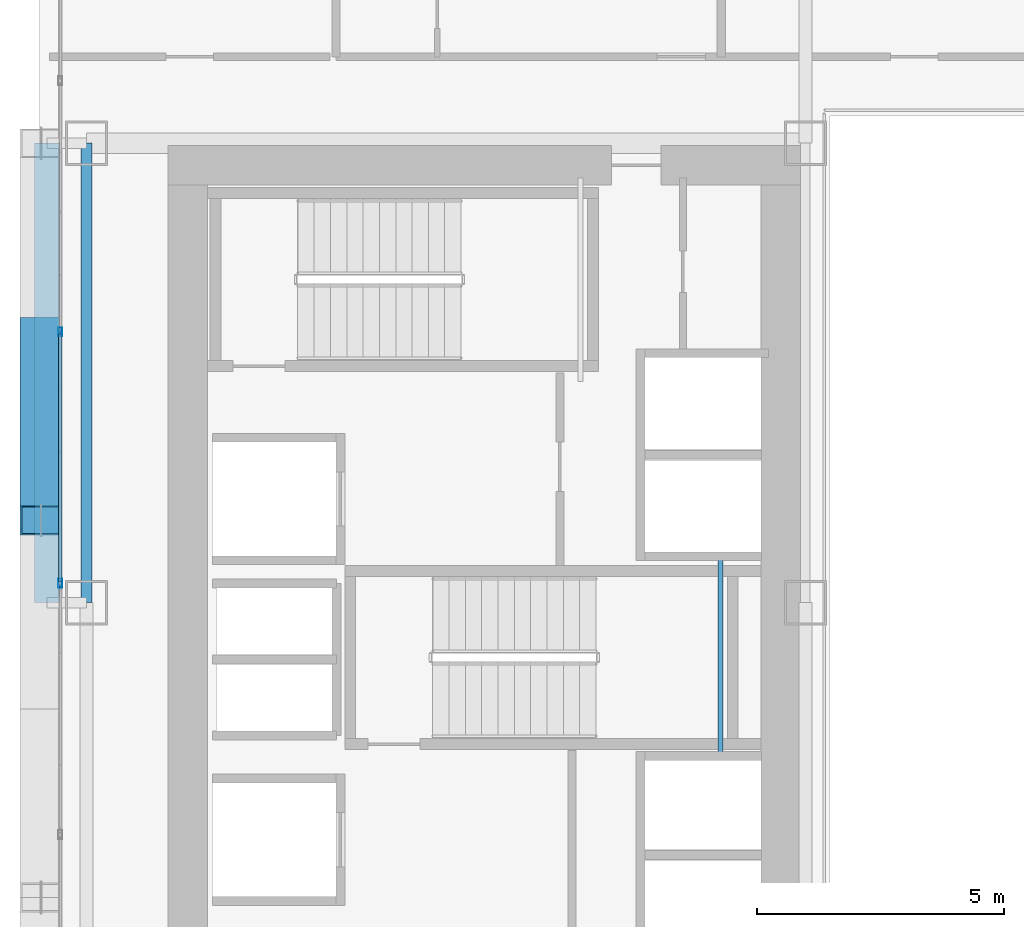
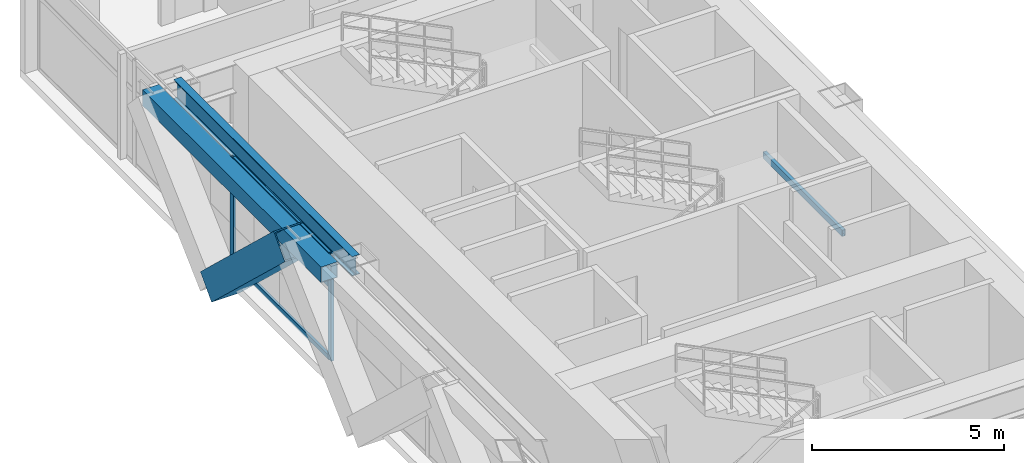
# One storey, part 8 of 38: 6 members, 3 beams, 1 element without a shape of its own.
"""IFC4 building model written with IfcOpenShell, lengths in metres."""

from ifc_helpers import new_model, si_unit, direction, frame, origin, origin_2d, place, context, subcontext, project, spatial, hollow_rectangle, i_section, extrude, source, transform, mapped, material, layer, layer_set, material_profile, profile_set, type_object, element, aggregate, save


model = new_model("IFC4")

# Units and contexts
model_context = context("Model", 3, precision=1e-05, world=origin(), true_north=direction((0.0, 1.0)))
body_context = subcontext(model_context, "Body", "Model", "MODEL_VIEW")
ifc_project = project(units=[si_unit("LENGTHUNIT", "METRE"), si_unit("AREAUNIT", "SQUARE_METRE"), si_unit("VOLUMEUNIT", "CUBIC_METRE"), si_unit("PLANEANGLEUNIT", "RADIAN"), si_unit("MASSUNIT", "GRAM", prefix="KILO")], contexts=[model_context])

# Site, building, storey
site_placement = place(None, origin())
site = spatial("IfcSite", under=ifc_project, at=site_placement, CompositionType="ELEMENT")
building_placement = place(site_placement, origin())
building = spatial("IfcBuilding", under=site, at=building_placement, Name="Ocotamira Hotel", CompositionType="ELEMENT")
storey_placement = place(building_placement, frame((0.0, 0.0, 60.0)))
storey = spatial("IfcBuildingStorey", under=building, at=storey_placement, Name="L14", CompositionType="ELEMENT", Elevation=60.0)

# Beams
ifc_material_1 = material(Name="Steel ASTM A500 Grade C", Category="steel")
ifc_material_profile_1 = material_profile(ifc_material_1, hollow_rectangle(XDim=0.10009765625, YDim=0.199951171875, WallThickness=0.008056640625, at=origin_2d()), Name="HSS200X100X8")
ifc_profile_set_1 = profile_set([ifc_material_profile_1], Name="Steel ASTM A500 Grade C")
beam_type_1 = type_object("IfcBeamType", Name="BM-STLDG-HSS200", PredefinedType="BEAM", material=ifc_profile_set_1)
shared_shape_1 = source(origin(), body_context, "Body", "SweptSolid", [
    extrude(hollow_rectangle(XDim=0.10009765625, YDim=0.199951171875, WallThickness=0.008056640625, at=origin_2d()), origin(), (0.0, 0.0, 1.0), 4.1201171875),
])
beam_1_placement = place(storey_placement, frame((21.780029296875, 24.97998046875, 1.5), z_axis=(0.0, 1.0, 0.0), x_axis=(-1.0, 0.0, 0.0)))
element("IfcBeam", 1, at=beam_1_placement, inside=storey, type_object=beam_type_1, Name="L14 Stair ST-3 Landing Bearer 1", PredefinedType="BEAM", context=body_context, shape_type="MappedRepresentation", body=[
    mapped(shared_shape_1, transform((0.0, 0.0, 0.0), scale=1.0)),
])
ifc_material_2 = material(Name="Steel ASTM A992 Grade 50", Category="steel")
ifc_material_profile_2 = material_profile(ifc_material_2, i_section(OverallWidth=0.22998046875, OverallDepth=0.616943359375, WebThickness=0.01318359375, FlangeThickness=0.022216796875, FilletRadius=0.012939453125, at=origin_2d()), Name="W24X94")
ifc_profile_set_2 = profile_set([ifc_material_profile_2], Name="Steel ASTM A992 Grade 50")
beam_type_2 = type_object("IfcBeamType", Name="BM-PRIM-W24X94", PredefinedType="BEAM", material=ifc_profile_set_2)
shared_shape_2 = source(origin(), body_context, "Body", "SweptSolid", [
    extrude(i_section(OverallWidth=0.22998046875, OverallDepth=0.616943359375, WebThickness=0.01318359375, FlangeThickness=0.022216796875, FilletRadius=0.012939453125, at=origin_2d()), origin(), (0.0, 0.0, 1.0), 9.300048828125),
])
beam_2_placement = place(storey_placement, frame((8.949951171875, 28.14990234375, 3.04150390625), z_axis=(0.0, 1.0, 0.0), x_axis=(-1.0, 0.0, 0.0)))
element("IfcBeam", 2, at=beam_2_placement, inside=storey, type_object=beam_type_2, Name="L14 Beam X8.95 Y28.15-37.45", PredefinedType="BEAM", context=body_context, shape_type="MappedRepresentation", body=[
    mapped(shared_shape_2, transform((0.0, 0.0, 0.0), scale=1.0)),
])
ifc_material_profile_3 = material_profile(ifc_material_1, hollow_rectangle(XDim=0.5, YDim=0.5, WallThickness=0.02001953125, at=origin_2d()), Name="HSS500X500X20")
ifc_profile_set_3 = profile_set([ifc_material_profile_3], Name="Steel ASTM A500 Grade C")
beam_type_3 = type_object("IfcBeamType", Name="BM-SPAN-HSS500", PredefinedType="USERDEFINED", material=ifc_profile_set_3)
shared_shape_3 = source(origin(), body_context, "Body", "SweptSolid", [
    extrude(hollow_rectangle(XDim=0.5, YDim=0.5, WallThickness=0.02001953125, at=origin_2d()), origin(), (0.0, 0.0, 1.0), 9.300048828125),
])
beam_3_placement = place(storey_placement, frame((8.14990234375, 28.14990234375, 3.10009765625), z_axis=(0.0, 1.0, 0.0), x_axis=(-1.0, 0.0, 0.0)))
element("IfcBeam", 3, at=beam_3_placement, inside=storey, type_object=beam_type_3, Name="L14 Edge Spandrel W Y28.15-37.45", ObjectType="SPANDREL", PredefinedType="USERDEFINED", context=body_context, shape_type="MappedRepresentation", body=[
    mapped(shared_shape_3, transform((0.0, 0.0, 0.0), scale=1.0)),
])

# Member
ifc_material_3 = material(Name="Pale-metal coated steel ASTM A913 Grade 65", Category="steel")
ifc_material_profile_4 = material_profile(ifc_material_3, hollow_rectangle(XDim=0.85009765625, YDim=0.85009765625, WallThickness=0.035888671875, at=origin_2d()), Name="BOX850X850X36")
ifc_profile_set_4 = profile_set([ifc_material_profile_4], Name="Pale-metal coated steel ASTM A913 Grade 65")
member_type_1 = type_object("IfcMemberType", Name="MEM-EXO-BOX850", PredefinedType="BRACE", material=ifc_profile_set_4)
shared_shape_4 = source(origin(), body_context, "Body", "SweptSolid", [
    extrude(hollow_rectangle(XDim=0.85009765625, YDim=0.85009765625, WallThickness=0.035888671875, at=origin_2d()), origin(), (0.0, 0.0, 1.0), 5.24658203125),
])
member_1_placement = place(storey_placement, frame((8.030029296875, 33.63330078125, -0.5), z_axis=(0.0, -0.727442733726, 0.686168397078), x_axis=(1.0, 0.0, 0.0)))
element("IfcMember", 4, at=member_1_placement, inside=storey, type_object=member_type_1, Name="L14 Exoskeleton Diagrid W2.1", PredefinedType="BRACE", context=body_context, shape_type="MappedRepresentation", body=[
    mapped(shared_shape_4, transform((0.0, 0.0, 0.0), scale=1.0)),
])

# Curtain wall, members
ifc_material_4 = material(Name="Anodised pale-metal aluminium and solar glass", Category="aluminium")
ifc_layer = layer(ifc_material_4, 0.179931640625)
ifc_layer_set = layer_set([ifc_layer], Name="Anodised pale-metal aluminium and solar glass")
curtain_wall_type = type_object("IfcCurtainWallType", Name="CW-SYS2-Z1", PredefinedType="NOTDEFINED", material=ifc_layer_set)
curtain_wall_placement = place(storey_placement, origin())
curtain_wall = element("IfcCurtainWall", 5, at=curtain_wall_placement, inside=storey, type_object=curtain_wall_type, Name="L14 Curtain Wall CW-2 CW-L14-W", PredefinedType="NOTDEFINED")
ifc_material_5 = material(Name="Anodised pale-metal aluminium 6063-T6", Category="aluminium")
ifc_material_profile_5 = material_profile(ifc_material_5, hollow_rectangle(XDim=0.074951171875, YDim=0.14990234375, WallThickness=0.006103515625, at=origin_2d()), Name="HSS150X75X6")
ifc_profile_set_5 = profile_set([ifc_material_profile_5], Name="Anodised pale-metal aluminium 6063-T6")
member_type_2 = type_object("IfcMemberType", Name="CWT-150X75", PredefinedType="USERDEFINED", material=ifc_profile_set_5)
shared_shape_5 = source(origin(), body_context, "Body", "SweptSolid", [
    extrude(hollow_rectangle(XDim=0.074951171875, YDim=0.14990234375, WallThickness=0.006103515625, at=origin_2d()), origin(), (0.0, 0.0, 1.0), 5.005859375),
])
member_2_placement = place(storey_placement, frame((8.419921875, 28.582763671875, 0.03759765625), z_axis=(0.0, 1.0, 0.0), x_axis=(-1.0, 0.0, 0.0)))
member_2 = element("IfcMember", 6, at=member_2_placement, type_object=member_type_2, Name="CW-2 transom 5.1", ObjectType="TRANSOM", PredefinedType="USERDEFINED", context=body_context, shape_type="MappedRepresentation", body=[
    mapped(shared_shape_5, transform((0.0, 0.0, 0.0), scale=1.0)),
])
member_3_placement = place(storey_placement, frame((8.419921875, 28.582763671875, 2.35009765625), z_axis=(0.0, 1.0, 0.0), x_axis=(-1.0, 0.0, 0.0)))
member_3 = element("IfcMember", 7, at=member_3_placement, type_object=member_type_2, Name="CW-2 transom 5.2", ObjectType="TRANSOM", PredefinedType="USERDEFINED", context=body_context, shape_type="MappedRepresentation", body=[
    mapped(shared_shape_5, transform((0.0, 0.0, 0.0), scale=1.0)),
])
member_4_placement = place(storey_placement, frame((8.419921875, 28.582763671875, 3.3125), z_axis=(0.0, 1.0, 0.0), x_axis=(-1.0, 0.0, 0.0)))
member_4 = element("IfcMember", 8, at=member_4_placement, type_object=member_type_2, Name="CW-2 transom 5.3", ObjectType="TRANSOM", PredefinedType="USERDEFINED", context=body_context, shape_type="MappedRepresentation", body=[
    mapped(shared_shape_5, transform((0.0, 0.0, 0.0), scale=1.0)),
])
ifc_material_profile_6 = material_profile(ifc_material_5, hollow_rectangle(XDim=0.080078125, YDim=0.179931640625, WallThickness=0.006103515625, at=origin_2d()), Name="HSS180X80X6")
ifc_profile_set_6 = profile_set([ifc_material_profile_6], Name="Anodised pale-metal aluminium 6063-T6")
member_type_3 = type_object("IfcMemberType", Name="CWM-180X75", PredefinedType="MULLION", material=ifc_profile_set_6)
shared_shape_6 = source(origin(), body_context, "Body", "SweptSolid", [
    extrude(hollow_rectangle(XDim=0.080078125, YDim=0.179931640625, WallThickness=0.006103515625, at=origin_2d()), origin(), (0.0, 0.0, 1.0), 3.35009765625),
])
member_5_placement = place(storey_placement, frame((8.419921875, 28.54296875, 0.0), z_axis=(0.0, 0.0, 1.0), x_axis=(-1.0, 0.0, 0.0)))
member_5 = element("IfcMember", 9, at=member_5_placement, type_object=member_type_3, Name="CW-2 mullion 5", PredefinedType="MULLION", context=body_context, shape_type="MappedRepresentation", body=[
    mapped(shared_shape_6, transform((0.0, 0.0, 0.0), scale=1.0)),
])
member_6_placement = place(storey_placement, frame((8.419921875, 33.628662109375, 0.0), z_axis=(0.0, 0.0, 1.0), x_axis=(-1.0, 0.0, 0.0)))
member_6 = element("IfcMember", 10, at=member_6_placement, type_object=member_type_3, Name="CW-2 mullion 6", PredefinedType="MULLION", context=body_context, shape_type="MappedRepresentation", body=[
    mapped(shared_shape_6, transform((0.0, 0.0, 0.0), scale=1.0)),
])
aggregate(curtain_wall, [member_5, member_6, member_2, member_3, member_4])

save(model, "model.ifc")
